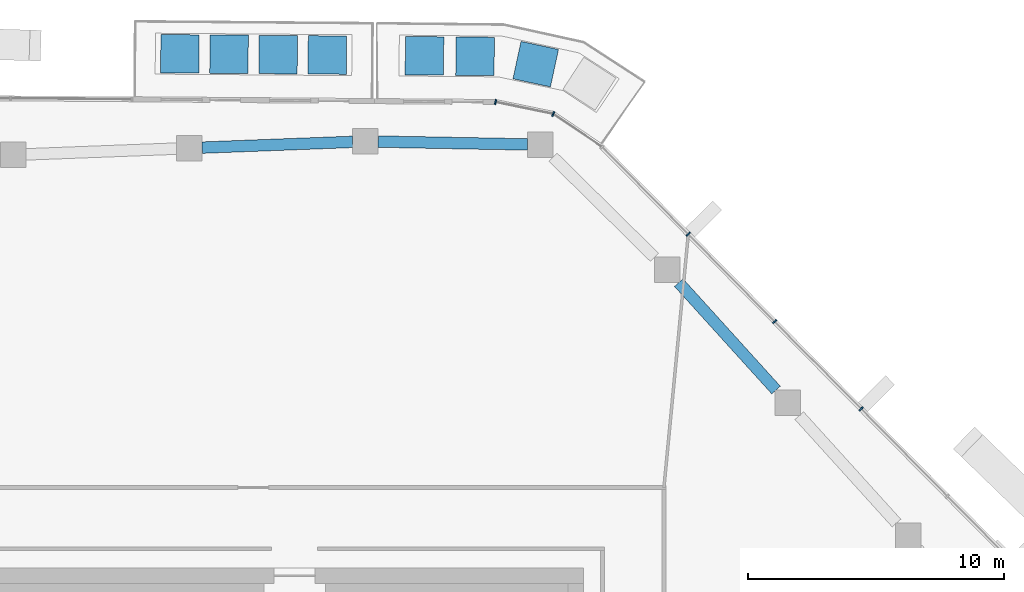
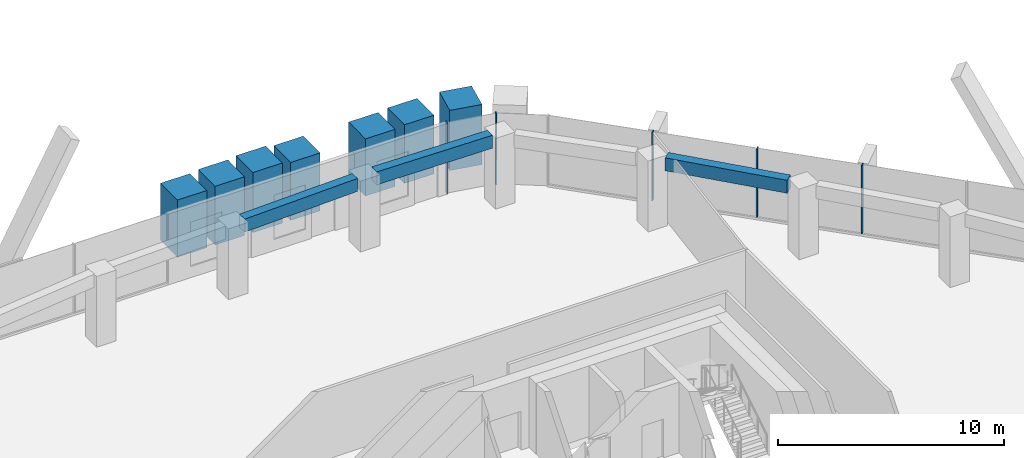
# One storey, part 9 of 23: 12 members, 3 beams, 2 elements without a shape of their own.
"""IFC4 building model written with IfcOpenShell, lengths in metres."""

import ifcopenshell
import ifcopenshell.guid

model = None  # the IFC model being written
_history = None  # IfcOwnerHistory: only IFC2X3 demands one
_inside = {}  # id of a spatial element -> (the spatial element, [elements in it])
_under = {}  # id of a project, library or spatial element -> (it, [spatial elements below it])
_declared = {}  # id of a project -> (the project, [libraries it declares])
_typed = {}  # id of a type object -> (the type object, [elements of that type])
_made_of = {}  # id of a material, layer set ... -> (it, [elements and type objects made of it])


def new_model(schema):
    """Start an empty IFC model of exactly this schema.

    Asked for "IFC4X3", IfcOpenShell would pick the latest addendum, in which some entities
    have other attributes; the version numbers below select the first issue.
    IFC2X3 requires an IfcOwnerHistory on every rooted entity: one is made here for all.
    """
    global model, _history
    if schema == "IFC4X3":
        model = ifcopenshell.file(schema_version=(4, 3, 0, 0))
    else:
        model = ifcopenshell.file(schema=schema)
    _inside.clear()
    _under.clear()
    _declared.clear()
    _typed.clear()
    _made_of.clear()
    _history = None
    if model.schema == "IFC2X3":
        org = make("IfcOrganization", Name="unknown")
        user = make(
            "IfcPersonAndOrganization",
            ThePerson=make("IfcPerson", FamilyName="unknown"),
            TheOrganization=org,
        )
        app = make(
            "IfcApplication",
            ApplicationDeveloper=org,
            Version="unknown",
            ApplicationFullName="unknown",
            ApplicationIdentifier="unknown",
        )
        _history = make(
            "IfcOwnerHistory",
            OwningUser=user,
            OwningApplication=app,
            ChangeAction="ADDED",
            CreationDate=0,
        )
    return model


def make(cls, **values):
    """One entity of the class cls with the attributes given. An attribute that is None is left unset."""
    return model.create_entity(
        cls, **{name: value for name, value in values.items() if value is not None}
    )


def rooted(cls, **values):
    """An entity with a GlobalId (a new one), such as an element, a storey or a relation."""
    return make(cls, GlobalId=ifcopenshell.guid.new(), OwnerHistory=_history, **values)


def si_unit(unit_type, name, prefix=None):
    """IfcSIUnit, for example si_unit("LENGTHUNIT", "METRE", prefix="MILLI")."""
    return make("IfcSIUnit", UnitType=unit_type, Prefix=prefix, Name=name)


def assignment(units):
    """IfcUnitAssignment: the units of a project."""
    return None if units is None else make("IfcUnitAssignment", Units=units)


def point(xyz):
    """IfcCartesianPoint."""
    return None if xyz is None else make("IfcCartesianPoint", Coordinates=xyz)


def direction(xyz):
    """IfcDirection."""
    return None if xyz is None else make("IfcDirection", DirectionRatios=xyz)


def frame(location, z_axis=None, x_axis=None):
    """IfcAxis2Placement3D, a coordinate frame: its origin and axes. An axis left out is left unset."""
    return make(
        "IfcAxis2Placement3D",
        Location=point(location),
        Axis=direction(z_axis),
        RefDirection=direction(x_axis),
    )


def frame_2d(location, x_axis=None):
    """IfcAxis2Placement2D, a coordinate frame in the plane: its origin and x axis."""
    return make(
        "IfcAxis2Placement2D", Location=point(location), RefDirection=direction(x_axis)
    )


def origin():
    """The frame at (0, 0, 0) with its axes left unset."""
    return frame((0.0, 0.0, 0.0))


def origin_2d():
    """The frame at (0, 0) in the plane with its x axis left unset."""
    return frame_2d((0.0, 0.0))


def place(relative_to, where):
    """IfcLocalPlacement: puts the frame where relative to a parent placement (None: the world)."""
    return make(
        "IfcLocalPlacement", PlacementRelTo=relative_to, RelativePlacement=where
    )


def context(
    kind, dimensions, precision=None, world=None, true_north=None, identifier=None
):
    """IfcGeometricRepresentationContext, for example the 3D "Model" context."""
    return make(
        "IfcGeometricRepresentationContext",
        ContextIdentifier=identifier,
        ContextType=kind,
        CoordinateSpaceDimension=dimensions,
        Precision=precision,
        WorldCoordinateSystem=world,
        TrueNorth=true_north,
    )


def subcontext(parent, identifier, kind, view, scale=None):
    """IfcGeometricRepresentationSubContext, for example "Body" below "Model"."""
    return make(
        "IfcGeometricRepresentationSubContext",
        ContextIdentifier=identifier,
        ContextType=kind,
        ParentContext=parent,
        TargetScale=scale,
        TargetView=view,
    )


def project(units=None, contexts=None):
    """IfcProject with its units and contexts."""
    return rooted(
        "IfcProject",
        Name="project",
        RepresentationContexts=contexts,
        UnitsInContext=assignment(units),
    )


def spatial(cls, under=None, at=None, **own):
    """A site, building, storey or space (cls), placed at a placement, below another one or the project."""
    s = rooted(cls, ObjectPlacement=at, **own)
    if under is not None:
        _under.setdefault(under.id(), (under, []))[1].append(s)
    return s


def profile(cls, at=None, kind="AREA", **sizes):
    """A parametric profile (cls). Its sizes go by their IFC names, for example OverallWidth=200.0."""
    return make(cls, ProfileType=kind, Position=at, **sizes)


def rectangle(**sizes):
    """IfcRectangleProfileDef."""
    return profile("IfcRectangleProfileDef", **sizes)


def extrude(swept, where, along, depth):
    """IfcExtrudedAreaSolid: the profile swept, set in the frame where, extruded along a direction by depth."""
    return make(
        "IfcExtrudedAreaSolid",
        SweptArea=swept,
        Position=where,
        ExtrudedDirection=direction(along),
        Depth=depth,
    )


def shape(context_of_items, identifier, shape_type, items):
    """IfcShapeRepresentation: the items that make up one representation, for example the "Body"."""
    return make(
        "IfcShapeRepresentation",
        ContextOfItems=context_of_items,
        RepresentationIdentifier=identifier,
        RepresentationType=shape_type,
        Items=items,
    )


def material(Name=None, Category=None):
    """IfcMaterial."""
    return make("IfcMaterial", Name=Name, Category=Category)


def layer(
    of_material, thickness, ventilated=None, Name=None, Category=None, Priority=None
):
    """IfcMaterialLayer: one layer of a wall or slab, of a material (None: an air gap)."""
    return make(
        "IfcMaterialLayer",
        Material=of_material,
        LayerThickness=thickness,
        IsVentilated=ventilated,
        Name=Name,
        Category=Category,
        Priority=Priority,
    )


def layer_set(layers, Name=None):
    """IfcMaterialLayerSet."""
    return make("IfcMaterialLayerSet", MaterialLayers=layers, LayerSetName=Name)


def material_profile(
    of_material, cross_section, Name=None, Category=None, Priority=None
):
    """IfcMaterialProfile: a cross section and its material."""
    return make(
        "IfcMaterialProfile",
        Name=Name,
        Material=of_material,
        Profile=cross_section,
        Priority=Priority,
        Category=Category,
    )


def profile_set(profiles, Name=None, composite=None):
    """IfcMaterialProfileSet."""
    return make(
        "IfcMaterialProfileSet",
        Name=Name,
        MaterialProfiles=profiles,
        CompositeProfile=composite,
    )


def made_of(thing, what):
    """Note that an element or type object is made of a material, layer set ...; save() writes the relation."""
    if what is not None:
        _made_of.setdefault(what.id(), (what, []))[1].append(thing)
    return thing


def type_object(cls, material=None, **own):
    """A type object (cls), such as IfcWallType, which elements share."""
    return made_of(rooted(cls, **own), material)


def element(
    cls,
    number,
    at=None,
    inside=None,
    cuts=None,
    type_object=None,
    material=None,
    context=None,
    identifier="Body",
    shape_type=None,
    held_by="IfcProductDefinitionShape",
    body=None,
    shapes=None,
    **own,
):
    """One element of the class cls, such as IfcWall. Its Tag is "e" and its number.

    at: its placement. inside: the storey or other place that contains it. cuts: it is an
    opening in that element (IfcRelVoidsElement). A single representation is given by context,
    identifier, shape_type and body (its items); several are given by shapes. held_by: the class
    of the entity that holds the representations. save() writes the other relations.
    """
    e = rooted(cls, Tag="e%d" % number, ObjectPlacement=at, **own)
    if body is not None:
        shapes = [shape(context, identifier, shape_type, body)]
    if shapes is not None:
        e.Representation = make(held_by, Representations=shapes)
    if inside is not None:
        _inside.setdefault(inside.id(), (inside, []))[1].append(e)
    if cuts is not None:
        rooted(
            "IfcRelVoidsElement", RelatingBuildingElement=cuts, RelatedOpeningElement=e
        )
    if type_object is not None:
        _typed.setdefault(type_object.id(), (type_object, []))[1].append(e)
    return made_of(e, material)


def aggregate(whole, parts):
    """IfcRelAggregates: a whole, such as a stair, and the parts it consists of."""
    return rooted("IfcRelAggregates", RelatingObject=whole, RelatedObjects=parts)


def save(model, path):
    """Write the relations noted so far, then the file.

    IfcRelAggregates (storeys below a building ...), IfcRelContainedInSpatialStructure (elements
    in a storey), IfcRelDefinesByType, IfcRelAssociatesMaterial and IfcRelDeclares: one each for
    every whole, place, type object, material and project.
    """
    for whole, parts in _under.values():
        aggregate(whole, parts)
    for where, things in _inside.values():
        rooted(
            "IfcRelContainedInSpatialStructure",
            RelatedElements=things,
            RelatingStructure=where,
        )
    for kind, things in _typed.values():
        rooted("IfcRelDefinesByType", RelatedObjects=things, RelatingType=kind)
    for what, things in _made_of.values():
        rooted("IfcRelAssociatesMaterial", RelatedObjects=things, RelatingMaterial=what)
    for by, libraries in _declared.values():
        rooted("IfcRelDeclares", RelatingContext=by, RelatedDefinitions=libraries)
    model.write(path)


model = new_model("IFC4")

# Units and contexts
model_context = context("Model", 3, precision=1e-05, world=origin(), true_north=direction((0.0, 1.0)))
body_context = subcontext(model_context, "Body", "Model", "MODEL_VIEW")
ifc_project = project(units=[si_unit("LENGTHUNIT", "METRE"), si_unit("AREAUNIT", "SQUARE_METRE"), si_unit("VOLUMEUNIT", "CUBIC_METRE"), si_unit("PLANEANGLEUNIT", "RADIAN"), si_unit("MASSUNIT", "GRAM", prefix="KILO")], contexts=[model_context])

# Site, building, storey
site_placement = place(None, origin())
site = spatial("IfcSite", under=ifc_project, at=site_placement, CompositionType="ELEMENT")
building_placement = place(site_placement, origin())
building = spatial("IfcBuilding", under=site, at=building_placement, Name="Dongbaek Canopy Tower", CompositionType="ELEMENT")
storey_placement = place(building_placement, frame((0.0, 0.0, 319.39990234375)))
storey = spatial("IfcBuildingStorey", under=building, at=storey_placement, Name="L68", CompositionType="ELEMENT", Elevation=319.39990234375)

# Curtain wall, members
ifc_material_1 = material(Name="Aluminium 6063-T6 pale anodised", Category="aluminium")
ifc_layer = layer(ifc_material_1, 0.199951171875)
ifc_layer_set = layer_set([ifc_layer], Name="CW-1 unitised tower curtain wall")
curtain_wall_type = type_object("IfcCurtainWallType", Name="CW-1 unitised tower curtain wall", PredefinedType="NOTDEFINED", material=ifc_layer_set)
curtain_wall_1_placement = place(storey_placement, origin())
curtain_wall_1 = element("IfcCurtainWall", 1, at=curtain_wall_1_placement, inside=storey, type_object=curtain_wall_type, Name="CW-1 curtain wall F0.1", PredefinedType="NOTDEFINED")
ifc_material_2 = material(Name="Aluminium 6063-T6 pale anodised", Category="aluminium")
ifc_material_profile_1 = material_profile(ifc_material_2, rectangle(XDim=0.199951171875, YDim=0.06005859375, at=origin_2d()), Name="CW-1 mullion 60 x 200")
ifc_profile_set_1 = profile_set([ifc_material_profile_1], Name="Aluminium 6063-T6 pale anodised")
member_type_1 = type_object("IfcMemberType", Name="CW-1 mullion 60 x 200", PredefinedType="MULLION", material=ifc_profile_set_1)
member_1_placement = place(storey_placement, frame((24.86279296875, 17.223876953125, 0.1201171875), z_axis=(0.0, 0.0, 1.0), x_axis=(0.711035260325, 0.703156354287, 0.0)))
member_1 = element("IfcMember", 2, at=member_1_placement, type_object=member_type_1, Name="CW-1 mullion F0.1.3", PredefinedType="MULLION", context=body_context, shape_type="SweptSolid", body=[
    extrude(rectangle(XDim=0.199951171875, YDim=0.06005859375, at=origin_2d()), origin(), (0.0, 0.0, 1.0), 3.699951171875),
])
member_2_placement = place(storey_placement, frame((21.482177734375, 20.642333984375, 0.1201171875), z_axis=(0.0, 0.0, 1.0), x_axis=(0.711035260325, 0.703156354287, 0.0)))
member_2 = element("IfcMember", 3, at=member_2_placement, type_object=member_type_1, Name="CW-1 mullion F0.1.4", PredefinedType="MULLION", context=body_context, shape_type="SweptSolid", body=[
    extrude(rectangle(XDim=0.199951171875, YDim=0.06005859375, at=origin_2d()), origin(), (0.0, 0.0, 1.0), 3.699951171875),
])
member_3_placement = place(storey_placement, frame((18.101806640625, 24.060791015625, 0.1201171875), z_axis=(0.0, 0.0, 1.0), x_axis=(0.711035260325, 0.703156354287, 0.0)))
member_3 = element("IfcMember", 4, at=member_3_placement, type_object=member_type_1, Name="CW-1 mullion F0.1.5", PredefinedType="MULLION", context=body_context, shape_type="SweptSolid", body=[
    extrude(rectangle(XDim=0.199951171875, YDim=0.06005859375, at=origin_2d()), origin(), (0.0, 0.0, 1.0), 3.699951171875),
])
aggregate(curtain_wall_1, [member_1, member_2, member_3])

curtain_wall_2_placement = place(storey_placement, origin())
curtain_wall_2 = element("IfcCurtainWall", 5, at=curtain_wall_2_placement, inside=storey, type_object=curtain_wall_type, Name="CW-1 curtain wall K1.1", PredefinedType="NOTDEFINED")
member_4_placement = place(storey_placement, frame((12.8193359375, 28.764404296875, 0.0), z_axis=(0.0, 0.0, 1.0), x_axis=(0.388843204791, 0.921303946636, 0.0)))
member_4 = element("IfcMember", 6, at=member_4_placement, type_object=member_type_1, Name="CW-1 mullion K1.1.2", PredefinedType="MULLION", context=body_context, shape_type="SweptSolid", body=[
    extrude(rectangle(XDim=0.199951171875, YDim=0.06005859375, at=origin_2d()), origin(), (0.0, 0.0, 1.0), 3.820068359375),
])
member_5_placement = place(storey_placement, frame((10.56201171875, 29.23046875, 0.0), z_axis=(0.0, 0.0, 1.0), x_axis=(0.2021754834, 0.979349311488, 0.0)))
member_5 = element("IfcMember", 7, at=member_5_placement, type_object=member_type_1, Name="CW-1 mullion K1.1.3", PredefinedType="MULLION", context=body_context, shape_type="SweptSolid", body=[
    extrude(rectangle(XDim=0.199951171875, YDim=0.06005859375, at=origin_2d()), origin(), (0.0, 0.0, 1.0), 3.820068359375),
])
aggregate(curtain_wall_2, [member_4, member_5])

# Beams
ifc_material_3 = material(Name="Concrete C60", Category="concrete")
ifc_material_profile_2 = material_profile(ifc_material_3, rectangle(XDim=0.449951171875, YDim=0.699951171875, at=origin_2d()), Name="RC EDGE BEAM 450x700 C60")
ifc_profile_set_2 = profile_set([ifc_material_profile_2], Name="Concrete C60")
beam_type = type_object("IfcBeamType", Name="RC EDGE BEAM 450x700 C60", PredefinedType="BEAM", material=ifc_profile_set_2)
beam_1_placement = place(storey_placement, frame((-0.91796875, 27.447265625, 3.47021484375), z_axis=(0.999267098379, 0.038278794366, 0.0), x_axis=(-0.038278794366, 0.999267098379, 0.0)))
element("IfcBeam", 8, at=beam_1_placement, inside=storey, type_object=beam_type, Name="EDGEBEAM:L68:15", PredefinedType="BEAM", context=body_context, shape_type="SweptSolid", body=[
    extrude(rectangle(XDim=0.449951171875, YDim=0.699951171875, at=origin_2d()), origin(), (0.0, 0.0, 1.0), 5.893310546875),
])
beam_2_placement = place(storey_placement, frame((5.970947265625, 27.6826171875, 3.47021484375), z_axis=(0.99982249395, -0.018840928625, 0.0), x_axis=(0.018840928625, 0.99982249395, 0.0)))
element("IfcBeam", 9, at=beam_2_placement, inside=storey, type_object=beam_type, Name="EDGEBEAM:L68:16", PredefinedType="BEAM", context=body_context, shape_type="SweptSolid", body=[
    extrude(rectangle(XDim=0.449951171875, YDim=0.699951171875, at=origin_2d()), origin(), (0.0, 0.0, 1.0), 5.843994140625),
])
beam_3_placement = place(storey_placement, frame((17.72900390625, 22.166015625, 3.47021484375), z_axis=(0.67133921348, -0.741150227986, 0.0), x_axis=(0.741150227986, 0.67133921348, 0.0)))
element("IfcBeam", 10, at=beam_3_placement, inside=storey, type_object=beam_type, Name="EDGEBEAM:L68:18", PredefinedType="BEAM", context=body_context, shape_type="SweptSolid", body=[
    extrude(rectangle(XDim=0.449951171875, YDim=0.699951171875, at=origin_2d()), origin(), (0.0, 0.0, 1.0), 5.67236328125),
])

# Members
ifc_material_4 = material(Name="Concrete C40/50 planter mass with planting", Category="concrete")
ifc_material_profile_3 = material_profile(ifc_material_4, rectangle(XDim=1.5, YDim=1.5, at=origin_2d()), Name="Terrace PLANTER shrub mass 1500 x 1500")
ifc_profile_set_3 = profile_set([ifc_material_profile_3], Name="Concrete C40/50 planter mass with planting")
member_type_2 = type_object("IfcMemberType", Name="Terrace PLANTER shrub mass 1500 x 1500", PredefinedType="USERDEFINED", material=ifc_profile_set_3)
member_6_placement = place(storey_placement, frame((3.979248046875, 31.07177734375, 0.420166015625), z_axis=(0.0, 0.0, 1.0), x_axis=(0.007781807363, 0.999969721279, 0.0)))
element("IfcMember", 11, at=member_6_placement, inside=storey, type_object=member_type_2, Name="Planter shrubs L68 1.1", ObjectType="PLANTER", PredefinedType="USERDEFINED", context=body_context, shape_type="SweptSolid", body=[
    extrude(rectangle(XDim=1.5, YDim=1.5, at=origin_2d()), origin(), (0.0, 0.0, 1.0), 3.1298828125),
])
member_7_placement = place(storey_placement, frame((2.056640625, 31.086669921875, 0.420166015625), z_axis=(0.0, 0.0, 1.0), x_axis=(0.007781807363, 0.999969721279, 0.0)))
element("IfcMember", 12, at=member_7_placement, inside=storey, type_object=member_type_2, Name="Planter shrubs L68 1.2", ObjectType="PLANTER", PredefinedType="USERDEFINED", context=body_context, shape_type="SweptSolid", body=[
    extrude(rectangle(XDim=1.5, YDim=1.5, at=origin_2d()), origin(), (0.0, 0.0, 1.0), 3.25),
])
member_8_placement = place(storey_placement, frame((0.134033203125, 31.1015625, 0.420166015625), z_axis=(0.0, 0.0, 1.0), x_axis=(0.007781807363, 0.999969721279, 0.0)))
element("IfcMember", 13, at=member_8_placement, inside=storey, type_object=member_type_2, Name="Planter shrubs L68 1.3", ObjectType="PLANTER", PredefinedType="USERDEFINED", context=body_context, shape_type="SweptSolid", body=[
    extrude(rectangle(XDim=1.5, YDim=1.5, at=origin_2d()), origin(), (0.0, 0.0, 1.0), 3.169921875),
])
member_9_placement = place(storey_placement, frame((-1.78857421875, 31.11669921875, 0.420166015625), z_axis=(0.0, 0.0, 1.0), x_axis=(0.007781807363, 0.999969721279, 0.0)))
element("IfcMember", 14, at=member_9_placement, inside=storey, type_object=member_type_2, Name="Planter shrubs L68 1.4", ObjectType="PLANTER", PredefinedType="USERDEFINED", context=body_context, shape_type="SweptSolid", body=[
    extrude(rectangle(XDim=1.5, YDim=1.5, at=origin_2d()), origin(), (0.0, 0.0, 1.0), 3.08984375),
])
member_10_placement = place(storey_placement, frame((12.133544921875, 30.713134765625, 0.420166015625), z_axis=(0.0, 0.0, 1.0), x_axis=(0.210546309323, 0.977583884703, 0.0)))
element("IfcMember", 15, at=member_10_placement, inside=storey, type_object=member_type_2, Name="Planter shrubs L68 5.2", ObjectType="PLANTER", PredefinedType="USERDEFINED", context=body_context, shape_type="SweptSolid", body=[
    extrude(rectangle(XDim=1.5, YDim=1.5, at=origin_2d()), origin(), (0.0, 0.0, 1.0), 3.25),
])
member_11_placement = place(storey_placement, frame((9.760986328125, 31.020751953125, 0.420166015625), z_axis=(0.0, 0.0, 1.0), x_axis=(0.009824870646, 0.999951734794, 0.0)))
element("IfcMember", 16, at=member_11_placement, inside=storey, type_object=member_type_2, Name="Planter shrubs L68 5.3", ObjectType="PLANTER", PredefinedType="USERDEFINED", context=body_context, shape_type="SweptSolid", body=[
    extrude(rectangle(XDim=1.5, YDim=1.5, at=origin_2d()), origin(), (0.0, 0.0, 1.0), 3.169921875),
])
member_12_placement = place(storey_placement, frame((7.78076171875, 31.0400390625, 0.420166015625), z_axis=(0.0, 0.0, 1.0), x_axis=(0.009824870646, 0.999951734794, 0.0)))
element("IfcMember", 17, at=member_12_placement, inside=storey, type_object=member_type_2, Name="Planter shrubs L68 5.4", ObjectType="PLANTER", PredefinedType="USERDEFINED", context=body_context, shape_type="SweptSolid", body=[
    extrude(rectangle(XDim=1.5, YDim=1.5, at=origin_2d()), origin(), (0.0, 0.0, 1.0), 3.08984375),
])

save(model, "model.ifc")
